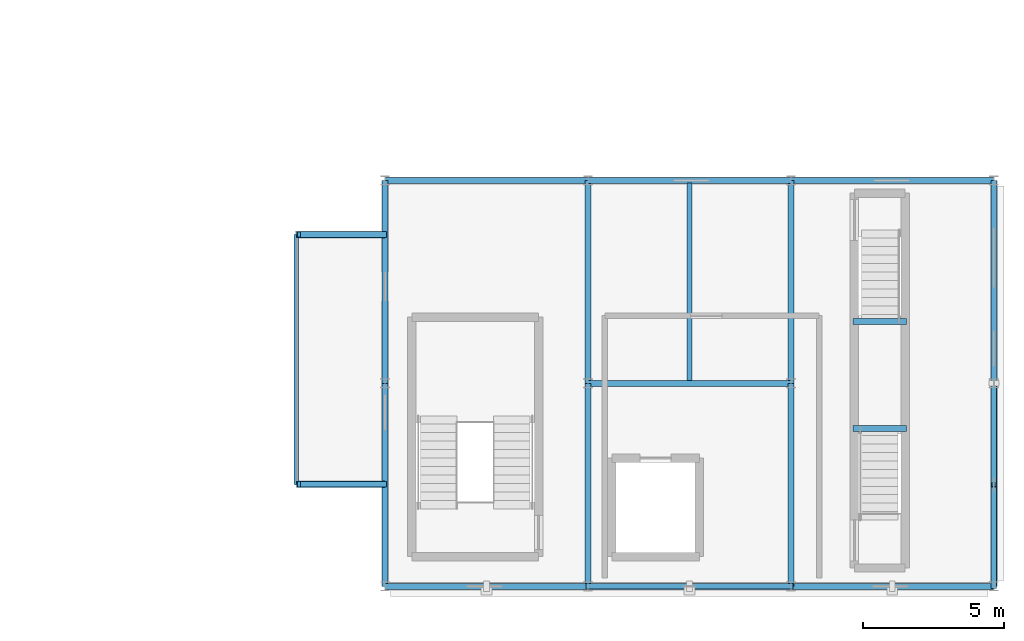
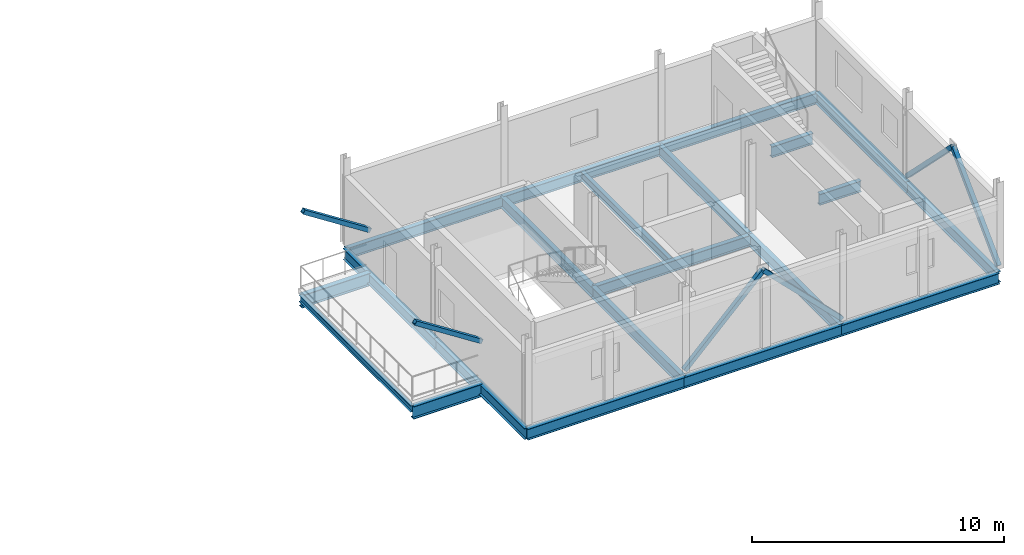
# One storey, part 21 of 47: 21 beams, 6 members.
"""IFC4 building model written with IfcOpenShell, lengths in metres."""

from ifc_helpers import new_model, si_unit, direction, frame, origin, origin_2d, place, context, subcontext, project, spatial, hollow_rectangle, i_section, extrude, material, material_profile, profile_set, type_object, element, save


model = new_model("IFC4")

# Units and contexts
model_context = context("Model", 3, precision=1e-05, world=origin(), true_north=direction((0.0, 1.0)))
body_context = subcontext(model_context, "Body", "Model", "MODEL_VIEW")
ifc_project = project(units=[si_unit("LENGTHUNIT", "METRE"), si_unit("AREAUNIT", "SQUARE_METRE"), si_unit("VOLUMEUNIT", "CUBIC_METRE"), si_unit("PLANEANGLEUNIT", "RADIAN"), si_unit("MASSUNIT", "GRAM", prefix="KILO")], contexts=[model_context])

# Site, building, storey
site_placement = place(None, origin())
site = spatial("IfcSite", under=ifc_project, at=site_placement, CompositionType="ELEMENT")
building_placement = place(site_placement, origin())
building = spatial("IfcBuilding", under=site, at=building_placement, Name="Yarey Park Central Fire Station", CompositionType="ELEMENT")
storey_placement = place(building_placement, frame((0.0, 0.0, 18.0)))
storey = spatial("IfcBuildingStorey", under=building, at=storey_placement, Name="L05", CompositionType="ELEMENT", Elevation=18.0)

# Beams
ifc_material_1 = material(Name="Steel ASTM A992 Gr. 50", Category="steel")
ifc_material_profile_1 = material_profile(ifc_material_1, i_section(OverallWidth=0.208984375, OverallDepth=0.532958984375, WebThickness=0.01025390625, FlangeThickness=0.015625, at=origin_2d()), Name="W530x92")
ifc_profile_set_1 = profile_set([ifc_material_profile_1], Name="Steel ASTM A992 Gr. 50")
beam_type_1 = type_object("IfcBeamType", Name="STR_BM_W530", PredefinedType="BEAM", material=ifc_profile_set_1)
for number, where, z_axis, x_axis, name in (
    (1, (144.0, 0.0, -0.506591796875), (1.0, 0.0, 0.0), (0.0, 1.0, 0.0), "BMX L05 Y0 X1440"),
    (2, (151.199951171875, 0.0, -0.506591796875), (1.0, 0.0, 0.0), (0.0, 1.0, 0.0), "BMX L05 Y0 X1512"),
):
    element("IfcBeam", number, at=place(storey_placement, frame(where, z_axis=z_axis, x_axis=x_axis)), inside=storey, type_object=beam_type_1, Name=name, PredefinedType="BEAM", context=body_context, shape_type="SweptSolid", body=[
        extrude(i_section(OverallWidth=0.208984375, OverallDepth=0.532958984375, WebThickness=0.01025390625, FlangeThickness=0.015625, at=origin_2d()), origin(), (0.0, 0.0, 1.0), 7.199951171875),
    ])
beam_1_placement = place(storey_placement, frame((158.39990234375, 0.0, -0.506591796875), z_axis=(1.0, 0.0, 0.0), x_axis=(0.0, 1.0, 0.0)))
element("IfcBeam", 3, at=beam_1_placement, inside=storey, type_object=beam_type_1, Name="BMX L05 Y0 X1584", PredefinedType="BEAM", context=body_context, shape_type="SweptSolid", body=[
    extrude(i_section(OverallWidth=0.208984375, OverallDepth=0.532958984375, WebThickness=0.01025390625, FlangeThickness=0.015625, at=origin_2d()), origin(), (0.0, 0.0, 1.0), 7.2001953125),
])
for number, where, z_axis, x_axis, name in (
    (4, (151.199951171875, 7.199951171875, -0.506591796875), (1.0, 0.0, 0.0), (0.0, 1.0, 0.0), "BMX L05 Y72 X1512"),
    (5, (144.0, 14.39990234375, -0.506591796875), (1.0, 0.0, 0.0), (0.0, 1.0, 0.0), "BMX L05 Y144 X1440"),
    (6, (151.199951171875, 14.39990234375, -0.506591796875), (1.0, 0.0, 0.0), (0.0, 1.0, 0.0), "BMX L05 Y144 X1512"),
):
    element("IfcBeam", number, at=place(storey_placement, frame(where, z_axis=z_axis, x_axis=x_axis)), inside=storey, type_object=beam_type_1, Name=name, PredefinedType="BEAM", context=body_context, shape_type="SweptSolid", body=[
        extrude(i_section(OverallWidth=0.208984375, OverallDepth=0.532958984375, WebThickness=0.01025390625, FlangeThickness=0.015625, at=origin_2d()), origin(), (0.0, 0.0, 1.0), 7.199951171875),
    ])
beam_2_placement = place(storey_placement, frame((158.39990234375, 14.39990234375, -0.506591796875), z_axis=(1.0, 0.0, 0.0), x_axis=(0.0, 1.0, 0.0)))
element("IfcBeam", 7, at=beam_2_placement, inside=storey, type_object=beam_type_1, Name="BMX L05 Y144 X1584", PredefinedType="BEAM", context=body_context, shape_type="SweptSolid", body=[
    extrude(i_section(OverallWidth=0.208984375, OverallDepth=0.532958984375, WebThickness=0.01025390625, FlangeThickness=0.015625, at=origin_2d()), origin(), (0.0, 0.0, 1.0), 7.2001953125),
])
for number, where, z_axis, x_axis, name in (
    (8, (144.0, 0.0, -0.506591796875), (0.0, 1.0, 0.0), (-1.0, 0.0, 0.0), "BMY L05 X1440 Y0"),
    (9, (144.0, 7.199951171875, -0.506591796875), (0.0, 1.0, 0.0), (-1.0, 0.0, 0.0), "BMY L05 X1440 Y72"),
    (10, (151.199951171875, 0.0, -0.506591796875), (0.0, 1.0, 0.0), (-1.0, 0.0, 0.0), "BMY L05 X1512 Y0"),
    (11, (151.199951171875, 7.199951171875, -0.506591796875), (0.0, 1.0, 0.0), (-1.0, 0.0, 0.0), "BMY L05 X1512 Y72"),
    (12, (158.39990234375, 0.0, -0.506591796875), (0.0, 1.0, 0.0), (-1.0, 0.0, 0.0), "BMY L05 X1584 Y0"),
    (13, (158.39990234375, 7.199951171875, -0.506591796875), (0.0, 1.0, 0.0), (-1.0, 0.0, 0.0), "BMY L05 X1584 Y72"),
    (14, (165.60009765625, 0.0, -0.506591796875), (0.0, 1.0, 0.0), (-1.0, 0.0, 0.0), "BMY L05 X1656 Y0"),
    (15, (165.60009765625, 7.199951171875, -0.506591796875), (0.0, 1.0, 0.0), (-1.0, 0.0, 0.0), "BMY L05 X1656 Y72"),
):
    element("IfcBeam", number, at=place(storey_placement, frame(where, z_axis=z_axis, x_axis=x_axis)), inside=storey, type_object=beam_type_1, Name=name, PredefinedType="BEAM", context=body_context, shape_type="SweptSolid", body=[
        extrude(i_section(OverallWidth=0.208984375, OverallDepth=0.532958984375, WebThickness=0.01025390625, FlangeThickness=0.015625, at=origin_2d()), origin(), (0.0, 0.0, 1.0), 7.199951171875),
    ])
for number, where, z_axis, x_axis, name in (
    (16, (160.60009765625, 5.60009765625, 1.6484375), (1.0, 0.0, 0.0), (0.0, 1.0, 0.0), "BM_LND_C6_L05_S"),
    (17, (160.60009765625, 9.39990234375, 1.6484375), (1.0, 0.0, 0.0), (0.0, 1.0, 0.0), "BM_LND_C6_L05_N"),
):
    element("IfcBeam", number, at=place(storey_placement, frame(where, z_axis=z_axis, x_axis=x_axis)), inside=storey, type_object=beam_type_1, Name=name, PredefinedType="BEAM", context=body_context, shape_type="SweptSolid", body=[
        extrude(i_section(OverallWidth=0.208984375, OverallDepth=0.532958984375, WebThickness=0.01025390625, FlangeThickness=0.015625, at=origin_2d()), origin(), (0.0, 0.0, 1.0), 1.89990234375),
    ])
ifc_material_profile_2 = material_profile(ifc_material_1, i_section(OverallWidth=0.22900390625, OverallDepth=0.612060546875, WebThickness=0.011962890625, FlangeThickness=0.01953125, at=origin_2d()), Name="W610x125")
ifc_profile_set_2 = profile_set([ifc_material_profile_2], Name="Steel ASTM A992 Gr. 50")
beam_type_2 = type_object("IfcBeamType", Name="STR_BM_W610E", PredefinedType="BEAM", material=ifc_profile_set_2)
for number, where, z_axis, x_axis, name in (
    (18, (140.85009765625, 3.6201171875, -0.541015625), (1.0, 0.0, 0.0), (0.0, 1.0, 0.0), "BALC OUT L05 Y36"),
    (19, (140.85009765625, 12.47998046875, -0.541015625), (1.0, 0.0, 0.0), (0.0, 1.0, 0.0), "BALC OUT L05 Y124"),
):
    element("IfcBeam", number, at=place(storey_placement, frame(where, z_axis=z_axis, x_axis=x_axis)), inside=storey, type_object=beam_type_2, Name=name, PredefinedType="BEAM", context=body_context, shape_type="SweptSolid", body=[
        extrude(i_section(OverallWidth=0.22900390625, OverallDepth=0.612060546875, WebThickness=0.011962890625, FlangeThickness=0.01953125, at=origin_2d()), origin(), (0.0, 0.0, 1.0), 3.14990234375),
    ])

# Members
ifc_material_2 = material(Name="Steel ASTM A500 Gr. C", Category="steel")
ifc_material_profile_3 = material_profile(ifc_material_2, hollow_rectangle(XDim=0.199951171875, YDim=0.199951171875, WallThickness=0.010009765625, at=origin_2d()), Name="HSS 200x200x10")
ifc_profile_set_3 = profile_set([ifc_material_profile_3], Name="Steel ASTM A500 Gr. C")
member_type = type_object("IfcMemberType", Name="STR_CBF_HSS200", PredefinedType="BRACE", material=ifc_profile_set_3)
for number, where, z_axis, x_axis, name in (
    (20, (144.0, 3.6201171875, 1.800048828125), (-0.840664304716, 0.0, 0.541556577632), (0.0, -1.0, 0.0), "BALC_KNEE_L06_Y36"),
    (21, (144.0, 12.47998046875, 1.800048828125), (-0.840664304716, 0.0, 0.541556577632), (0.0, -1.0, 0.0), "BALC_KNEE_L06_Y124"),
):
    element("IfcMember", number, at=place(storey_placement, frame(where, z_axis=z_axis, x_axis=x_axis)), inside=storey, type_object=member_type, Name=name, PredefinedType="BRACE", context=body_context, shape_type="SweptSolid", body=[
        extrude(hollow_rectangle(XDim=0.199951171875, YDim=0.199951171875, WallThickness=0.010009765625, at=origin_2d()), origin(), (0.0, 0.0, 1.0), 3.628173828125),
    ])
for number, where, z_axis, x_axis, name in (
    (22, (165.60009765625, 0.0, 0.050048828125), (0.0, 0.707130757816, 0.707082803744), (-1.0, 0.0, 0.0), "CBF_DT_E1_L05"),
    (23, (165.60009765625, 7.199951171875, 0.050048828125), (0.0, -0.707106781187, 0.707106781187), (1.0, 0.0, 0.0), "CBF_DT_E2_L05"),
    (24, (151.199951171875, 0.0, 0.050048828125), (0.707130757816, 0.0, 0.707082803744), (0.0, 1.0, 0.0), "CBF_DT_S1_L05"),
    (25, (158.39990234375, 0.0, 0.050048828125), (-0.707106781187, 0.0, 0.707106781187), (0.0, -1.0, 0.0), "CBF_DT_S2_L05"),
):
    element("IfcMember", number, at=place(storey_placement, frame(where, z_axis=z_axis, x_axis=x_axis)), inside=storey, type_object=member_type, Name=name, PredefinedType="BRACE", context=body_context, shape_type="SweptSolid", body=[
        extrude(hollow_rectangle(XDim=0.199951171875, YDim=0.199951171875, WallThickness=0.010009765625, at=origin_2d()), origin(), (0.0, 0.0, 1.0), 5.091064453125),
    ])

# Beams
ifc_material_profile_4 = material_profile(ifc_material_1, i_section(OverallWidth=0.177978515625, OverallDepth=0.406982421875, WebThickness=0.0078125, FlangeThickness=0.0126953125, at=origin_2d()), Name="W410x60")
ifc_profile_set_4 = profile_set([ifc_material_profile_4], Name="Steel ASTM A992 Gr. 50")
beam_type_3 = type_object("IfcBeamType", Name="STR_JST_W410", PredefinedType="JOIST", material=ifc_profile_set_4)
beam_3_placement = place(storey_placement, frame((154.800048828125, 7.294921875, -0.443603515625), z_axis=(0.0, 1.0, 0.0), x_axis=(-1.0, 0.0, 0.0)))
element("IfcBeam", 26, at=beam_3_placement, inside=storey, type_object=beam_type_3, Name="JST L05 X1548 Y72", PredefinedType="JOIST", context=body_context, shape_type="SweptSolid", body=[
    extrude(i_section(OverallWidth=0.177978515625, OverallDepth=0.406982421875, WebThickness=0.0078125, FlangeThickness=0.0126953125, at=origin_2d()), origin(), (0.0, 0.0, 1.0), 7.010009765625),
])
ifc_material_profile_5 = material_profile(ifc_material_1, i_section(OverallWidth=0.1650390625, OverallDepth=0.31005859375, WebThickness=0.005859375, FlangeThickness=0.009765625, at=origin_2d()), Name="W310x39")
ifc_profile_set_5 = profile_set([ifc_material_profile_5], Name="Steel ASTM A992 Gr. 50")
beam_type_4 = type_object("IfcBeamType", Name="STR_SPN_W310", PredefinedType="SPANDREL", material=ifc_profile_set_5)
beam_4_placement = place(storey_placement, frame((140.85009765625, 3.6201171875, -0.389892578125), z_axis=(0.0, 1.0, 0.0), x_axis=(-1.0, 0.0, 0.0)))
element("IfcBeam", 27, at=beam_4_placement, inside=storey, type_object=beam_type_4, Name="BALC EDG L05", PredefinedType="SPANDREL", context=body_context, shape_type="SweptSolid", body=[
    extrude(i_section(OverallWidth=0.1650390625, OverallDepth=0.31005859375, WebThickness=0.005859375, FlangeThickness=0.009765625, at=origin_2d()), origin(), (0.0, 0.0, 1.0), 8.85986328125),
])

save(model, "model.ifc")
